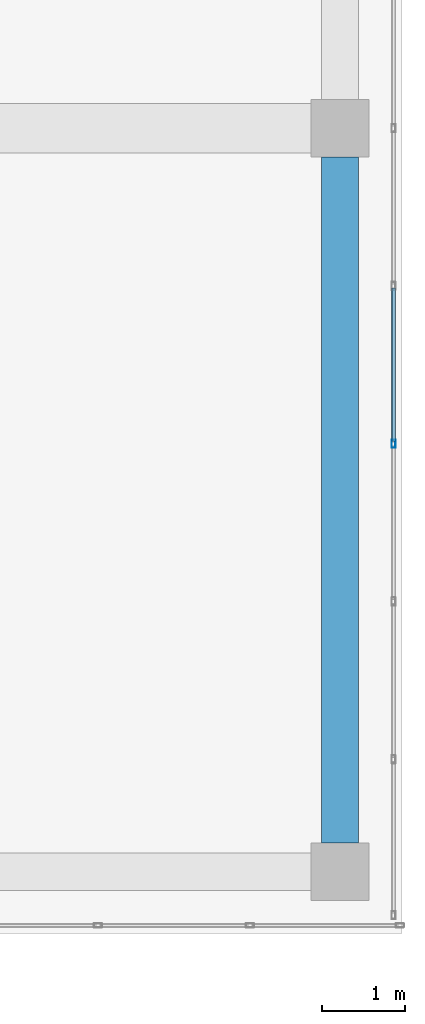
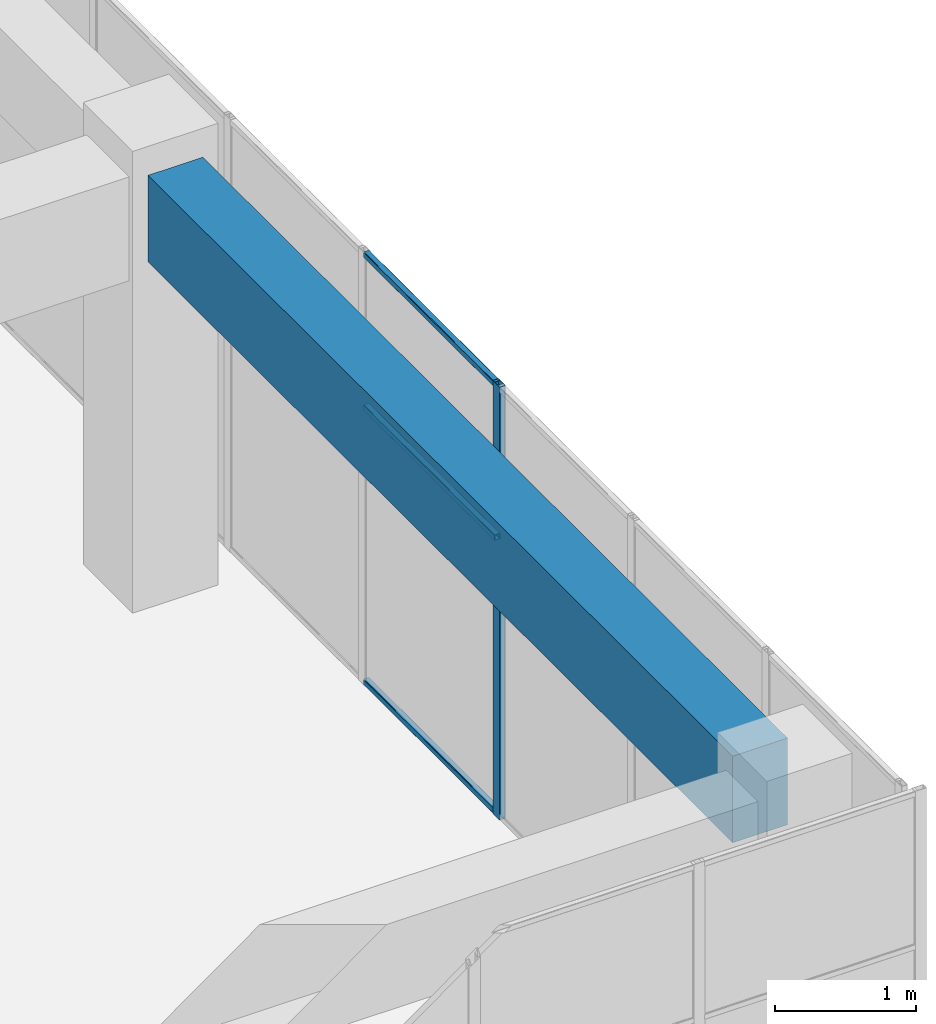
# One storey, part 22 of 43: 4 members, 1 beam, 1 element without a shape of its own.
"""IFC4 building model written with IfcOpenShell, lengths in metres."""

import ifcopenshell
import ifcopenshell.guid

model = None  # the IFC model being written
_history = None  # IfcOwnerHistory: only IFC2X3 demands one
_inside = {}  # id of a spatial element -> (the spatial element, [elements in it])
_under = {}  # id of a project, library or spatial element -> (it, [spatial elements below it])
_declared = {}  # id of a project -> (the project, [libraries it declares])
_typed = {}  # id of a type object -> (the type object, [elements of that type])
_made_of = {}  # id of a material, layer set ... -> (it, [elements and type objects made of it])


def new_model(schema):
    """Start an empty IFC model of exactly this schema.

    Asked for "IFC4X3", IfcOpenShell would pick the latest addendum, in which some entities
    have other attributes; the version numbers below select the first issue.
    IFC2X3 requires an IfcOwnerHistory on every rooted entity: one is made here for all.
    """
    global model, _history
    if schema == "IFC4X3":
        model = ifcopenshell.file(schema_version=(4, 3, 0, 0))
    else:
        model = ifcopenshell.file(schema=schema)
    _inside.clear()
    _under.clear()
    _declared.clear()
    _typed.clear()
    _made_of.clear()
    _history = None
    if model.schema == "IFC2X3":
        org = make("IfcOrganization", Name="unknown")
        user = make(
            "IfcPersonAndOrganization",
            ThePerson=make("IfcPerson", FamilyName="unknown"),
            TheOrganization=org,
        )
        app = make(
            "IfcApplication",
            ApplicationDeveloper=org,
            Version="unknown",
            ApplicationFullName="unknown",
            ApplicationIdentifier="unknown",
        )
        _history = make(
            "IfcOwnerHistory",
            OwningUser=user,
            OwningApplication=app,
            ChangeAction="ADDED",
            CreationDate=0,
        )
    return model


def make(cls, **values):
    """One entity of the class cls with the attributes given. An attribute that is None is left unset."""
    return model.create_entity(
        cls, **{name: value for name, value in values.items() if value is not None}
    )


def rooted(cls, **values):
    """An entity with a GlobalId (a new one), such as an element, a storey or a relation."""
    return make(cls, GlobalId=ifcopenshell.guid.new(), OwnerHistory=_history, **values)


def si_unit(unit_type, name, prefix=None):
    """IfcSIUnit, for example si_unit("LENGTHUNIT", "METRE", prefix="MILLI")."""
    return make("IfcSIUnit", UnitType=unit_type, Prefix=prefix, Name=name)


def assignment(units):
    """IfcUnitAssignment: the units of a project."""
    return None if units is None else make("IfcUnitAssignment", Units=units)


def point(xyz):
    """IfcCartesianPoint."""
    return None if xyz is None else make("IfcCartesianPoint", Coordinates=xyz)


def direction(xyz):
    """IfcDirection."""
    return None if xyz is None else make("IfcDirection", DirectionRatios=xyz)


def frame(location, z_axis=None, x_axis=None):
    """IfcAxis2Placement3D, a coordinate frame: its origin and axes. An axis left out is left unset."""
    return make(
        "IfcAxis2Placement3D",
        Location=point(location),
        Axis=direction(z_axis),
        RefDirection=direction(x_axis),
    )


def frame_2d(location, x_axis=None):
    """IfcAxis2Placement2D, a coordinate frame in the plane: its origin and x axis."""
    return make(
        "IfcAxis2Placement2D", Location=point(location), RefDirection=direction(x_axis)
    )


def origin():
    """The frame at (0, 0, 0) with its axes left unset."""
    return frame((0.0, 0.0, 0.0))


def origin_2d():
    """The frame at (0, 0) in the plane with its x axis left unset."""
    return frame_2d((0.0, 0.0))


def place(relative_to, where):
    """IfcLocalPlacement: puts the frame where relative to a parent placement (None: the world)."""
    return make(
        "IfcLocalPlacement", PlacementRelTo=relative_to, RelativePlacement=where
    )


def context(
    kind, dimensions, precision=None, world=None, true_north=None, identifier=None
):
    """IfcGeometricRepresentationContext, for example the 3D "Model" context."""
    return make(
        "IfcGeometricRepresentationContext",
        ContextIdentifier=identifier,
        ContextType=kind,
        CoordinateSpaceDimension=dimensions,
        Precision=precision,
        WorldCoordinateSystem=world,
        TrueNorth=true_north,
    )


def subcontext(parent, identifier, kind, view, scale=None):
    """IfcGeometricRepresentationSubContext, for example "Body" below "Model"."""
    return make(
        "IfcGeometricRepresentationSubContext",
        ContextIdentifier=identifier,
        ContextType=kind,
        ParentContext=parent,
        TargetScale=scale,
        TargetView=view,
    )


def project(units=None, contexts=None):
    """IfcProject with its units and contexts."""
    return rooted(
        "IfcProject",
        Name="project",
        RepresentationContexts=contexts,
        UnitsInContext=assignment(units),
    )


def spatial(cls, under=None, at=None, **own):
    """A site, building, storey or space (cls), placed at a placement, below another one or the project."""
    s = rooted(cls, ObjectPlacement=at, **own)
    if under is not None:
        _under.setdefault(under.id(), (under, []))[1].append(s)
    return s


def profile(cls, at=None, kind="AREA", **sizes):
    """A parametric profile (cls). Its sizes go by their IFC names, for example OverallWidth=200.0."""
    return make(cls, ProfileType=kind, Position=at, **sizes)


def rectangle(**sizes):
    """IfcRectangleProfileDef."""
    return profile("IfcRectangleProfileDef", **sizes)


def hollow_rectangle(**sizes):
    """IfcRectangleHollowProfileDef."""
    return profile("IfcRectangleHollowProfileDef", **sizes)


def extrude(swept, where, along, depth):
    """IfcExtrudedAreaSolid: the profile swept, set in the frame where, extruded along a direction by depth."""
    return make(
        "IfcExtrudedAreaSolid",
        SweptArea=swept,
        Position=where,
        ExtrudedDirection=direction(along),
        Depth=depth,
    )


def shape(context_of_items, identifier, shape_type, items):
    """IfcShapeRepresentation: the items that make up one representation, for example the "Body"."""
    return make(
        "IfcShapeRepresentation",
        ContextOfItems=context_of_items,
        RepresentationIdentifier=identifier,
        RepresentationType=shape_type,
        Items=items,
    )


def material(Name=None, Category=None):
    """IfcMaterial."""
    return make("IfcMaterial", Name=Name, Category=Category)


def layer(
    of_material, thickness, ventilated=None, Name=None, Category=None, Priority=None
):
    """IfcMaterialLayer: one layer of a wall or slab, of a material (None: an air gap)."""
    return make(
        "IfcMaterialLayer",
        Material=of_material,
        LayerThickness=thickness,
        IsVentilated=ventilated,
        Name=Name,
        Category=Category,
        Priority=Priority,
    )


def layer_set(layers, Name=None):
    """IfcMaterialLayerSet."""
    return make("IfcMaterialLayerSet", MaterialLayers=layers, LayerSetName=Name)


def material_profile(
    of_material, cross_section, Name=None, Category=None, Priority=None
):
    """IfcMaterialProfile: a cross section and its material."""
    return make(
        "IfcMaterialProfile",
        Name=Name,
        Material=of_material,
        Profile=cross_section,
        Priority=Priority,
        Category=Category,
    )


def profile_set(profiles, Name=None, composite=None):
    """IfcMaterialProfileSet."""
    return make(
        "IfcMaterialProfileSet",
        Name=Name,
        MaterialProfiles=profiles,
        CompositeProfile=composite,
    )


def made_of(thing, what):
    """Note that an element or type object is made of a material, layer set ...; save() writes the relation."""
    if what is not None:
        _made_of.setdefault(what.id(), (what, []))[1].append(thing)
    return thing


def type_object(cls, material=None, **own):
    """A type object (cls), such as IfcWallType, which elements share."""
    return made_of(rooted(cls, **own), material)


def element(
    cls,
    number,
    at=None,
    inside=None,
    cuts=None,
    type_object=None,
    material=None,
    context=None,
    identifier="Body",
    shape_type=None,
    held_by="IfcProductDefinitionShape",
    body=None,
    shapes=None,
    **own,
):
    """One element of the class cls, such as IfcWall. Its Tag is "e" and its number.

    at: its placement. inside: the storey or other place that contains it. cuts: it is an
    opening in that element (IfcRelVoidsElement). A single representation is given by context,
    identifier, shape_type and body (its items); several are given by shapes. held_by: the class
    of the entity that holds the representations. save() writes the other relations.
    """
    e = rooted(cls, Tag="e%d" % number, ObjectPlacement=at, **own)
    if body is not None:
        shapes = [shape(context, identifier, shape_type, body)]
    if shapes is not None:
        e.Representation = make(held_by, Representations=shapes)
    if inside is not None:
        _inside.setdefault(inside.id(), (inside, []))[1].append(e)
    if cuts is not None:
        rooted(
            "IfcRelVoidsElement", RelatingBuildingElement=cuts, RelatedOpeningElement=e
        )
    if type_object is not None:
        _typed.setdefault(type_object.id(), (type_object, []))[1].append(e)
    return made_of(e, material)


def aggregate(whole, parts):
    """IfcRelAggregates: a whole, such as a stair, and the parts it consists of."""
    return rooted("IfcRelAggregates", RelatingObject=whole, RelatedObjects=parts)


def save(model, path):
    """Write the relations noted so far, then the file.

    IfcRelAggregates (storeys below a building ...), IfcRelContainedInSpatialStructure (elements
    in a storey), IfcRelDefinesByType, IfcRelAssociatesMaterial and IfcRelDeclares: one each for
    every whole, place, type object, material and project.
    """
    for whole, parts in _under.values():
        aggregate(whole, parts)
    for where, things in _inside.values():
        rooted(
            "IfcRelContainedInSpatialStructure",
            RelatedElements=things,
            RelatingStructure=where,
        )
    for kind, things in _typed.values():
        rooted("IfcRelDefinesByType", RelatedObjects=things, RelatingType=kind)
    for what, things in _made_of.values():
        rooted("IfcRelAssociatesMaterial", RelatedObjects=things, RelatingMaterial=what)
    for by, libraries in _declared.values():
        rooted("IfcRelDeclares", RelatingContext=by, RelatedDefinitions=libraries)
    model.write(path)


model = new_model("IFC4")

# Units and contexts
model_context = context("Model", 3, precision=1e-05, world=origin(), true_north=direction((0.0, 1.0)))
body_context = subcontext(model_context, "Body", "Model", "MODEL_VIEW")
ifc_project = project(units=[si_unit("LENGTHUNIT", "METRE"), si_unit("AREAUNIT", "SQUARE_METRE"), si_unit("VOLUMEUNIT", "CUBIC_METRE"), si_unit("PLANEANGLEUNIT", "RADIAN"), si_unit("MASSUNIT", "GRAM", prefix="KILO")], contexts=[model_context])

# Site, building, storey
site_placement = place(None, origin())
site = spatial("IfcSite", under=ifc_project, at=site_placement, CompositionType="ELEMENT")
building_placement = place(site_placement, origin())
building = spatial("IfcBuilding", under=site, at=building_placement, Name="Tuart Plaza Theatre", CompositionType="ELEMENT")
storey_placement = place(building_placement, frame((0.0, 0.0, 33.5)))
storey = spatial("IfcBuildingStorey", under=building, at=storey_placement, Name="L08", CompositionType="ELEMENT", Elevation=33.5)

# Beam
ifc_material_1 = material(Name="Concrete N40 (40 MPa)", Category="concrete")
ifc_material_profile_1 = material_profile(ifc_material_1, rectangle(XDim=0.449951171875, YDim=0.75, at=origin_2d()), Name="BEAM 450x750 Concrete N40 (40 MPa)")
ifc_profile_set_1 = profile_set([ifc_material_profile_1], Name="Concrete N40 (40 MPa)")
beam_type = type_object("IfcBeamType", Name="BEAM 450x750 Concrete N40 (40 MPa)", PredefinedType="BEAM", material=ifc_profile_set_1)
beam_placement = place(storey_placement, frame((150.0, 65.35009765625, 3.375), z_axis=(0.0, 1.0, 0.0), x_axis=(-1.0, 0.0, 0.0)))
element("IfcBeam", 1, at=beam_placement, inside=storey, type_object=beam_type, Name="RB277", PredefinedType="BEAM", context=body_context, shape_type="SweptSolid", body=[
    extrude(rectangle(XDim=0.449951171875, YDim=0.75, at=origin_2d()), origin(), (0.0, 0.0, 1.0), 8.2998046875),
])

# Curtain wall, members
ifc_material_2 = material(Name="Aluminium and glass", Category="aluminium")
ifc_layer = layer(ifc_material_2, 0.10009765625)
ifc_layer_set = layer_set([ifc_layer], Name="CURTAIN WALL 2000 module")
curtain_wall_type = type_object("IfcCurtainWallType", Name="CURTAIN WALL 2000 module", PredefinedType="NOTDEFINED", material=ifc_layer_set)
curtain_wall_placement = place(storey_placement, origin())
curtain_wall = element("IfcCurtainWall", 2, at=curtain_wall_placement, inside=storey, type_object=curtain_wall_type, Name="CW92", PredefinedType="NOTDEFINED")
ifc_material_3 = material(Name="Aluminium 6063-T5", Category="aluminium")
ifc_material_profile_2 = material_profile(ifc_material_3, hollow_rectangle(XDim=0.050048828125, YDim=0.10009765625, WallThickness=0.00390625, InnerFilletRadius=0.00390625, OuterFilletRadius=0.008056640625, at=origin_2d()), Name="RHS 100x50x4")
ifc_profile_set_2 = profile_set([ifc_material_profile_2], Name="Aluminium 6063-T5")
member_type_1 = type_object("IfcMemberType", Name="MULLION RHS 100x50x4", PredefinedType="MULLION", material=ifc_profile_set_2)
member_1_placement = place(storey_placement, frame((150.64990234375, 70.179931640625, 0.0), z_axis=(0.0, 0.0, 1.0), x_axis=(-1.0, 0.0, 0.0)))
member_1 = element("IfcMember", 3, at=member_1_placement, type_object=member_type_1, Name="CW92 mullion 4", PredefinedType="MULLION", context=body_context, shape_type="SweptSolid", body=[
    extrude(hollow_rectangle(XDim=0.050048828125, YDim=0.10009765625, WallThickness=0.00390625, InnerFilletRadius=0.00390625, OuterFilletRadius=0.008056640625, at=origin_2d()), origin(), (0.0, 0.0, 1.0), 3.75),
])
ifc_material_4 = material(Name="Aluminium 6063-T5", Category="aluminium")
ifc_material_profile_3 = material_profile(ifc_material_4, hollow_rectangle(XDim=0.050048828125, YDim=0.050048828125, WallThickness=0.00390625, InnerFilletRadius=0.00390625, OuterFilletRadius=0.008056640625, at=origin_2d()), Name="RHS 50x50x4")
ifc_profile_set_3 = profile_set([ifc_material_profile_3], Name="Aluminium 6063-T5")
member_type_2 = type_object("IfcMemberType", Name="TRANSOM RHS 50x50x4", PredefinedType="USERDEFINED", material=ifc_profile_set_3)
member_2_placement = place(storey_placement, frame((150.64990234375, 70.205078125, 0.02490234375), z_axis=(0.0, 1.0, 0.0), x_axis=(-1.0, 0.0, 0.0)))
member_2 = element("IfcMember", 4, at=member_2_placement, type_object=member_type_2, Name="CW92 transom 4.1", ObjectType="TRANSOM", PredefinedType="USERDEFINED", context=body_context, shape_type="SweptSolid", body=[
    extrude(hollow_rectangle(XDim=0.050048828125, YDim=0.050048828125, WallThickness=0.00390625, InnerFilletRadius=0.00390625, OuterFilletRadius=0.008056640625, at=origin_2d()), origin(), (0.0, 0.0, 1.0), 1.85986328125),
])
member_3_placement = place(storey_placement, frame((150.64990234375, 70.205078125, 2.39990234375), z_axis=(0.0, 1.0, 0.0), x_axis=(-1.0, 0.0, 0.0)))
member_3 = element("IfcMember", 5, at=member_3_placement, type_object=member_type_2, Name="CW92 transom 4.2", ObjectType="TRANSOM", PredefinedType="USERDEFINED", context=body_context, shape_type="SweptSolid", body=[
    extrude(hollow_rectangle(XDim=0.050048828125, YDim=0.050048828125, WallThickness=0.00390625, InnerFilletRadius=0.00390625, OuterFilletRadius=0.008056640625, at=origin_2d()), origin(), (0.0, 0.0, 1.0), 1.85986328125),
])
member_4_placement = place(storey_placement, frame((150.64990234375, 70.205078125, 3.72509765625), z_axis=(0.0, 1.0, 0.0), x_axis=(-1.0, 0.0, 0.0)))
member_4 = element("IfcMember", 6, at=member_4_placement, type_object=member_type_2, Name="CW92 transom 4.3", ObjectType="TRANSOM", PredefinedType="USERDEFINED", context=body_context, shape_type="SweptSolid", body=[
    extrude(hollow_rectangle(XDim=0.050048828125, YDim=0.050048828125, WallThickness=0.00390625, InnerFilletRadius=0.00390625, OuterFilletRadius=0.008056640625, at=origin_2d()), origin(), (0.0, 0.0, 1.0), 1.85986328125),
])
aggregate(curtain_wall, [member_1, member_2, member_3, member_4])

save(model, "model.ifc")
